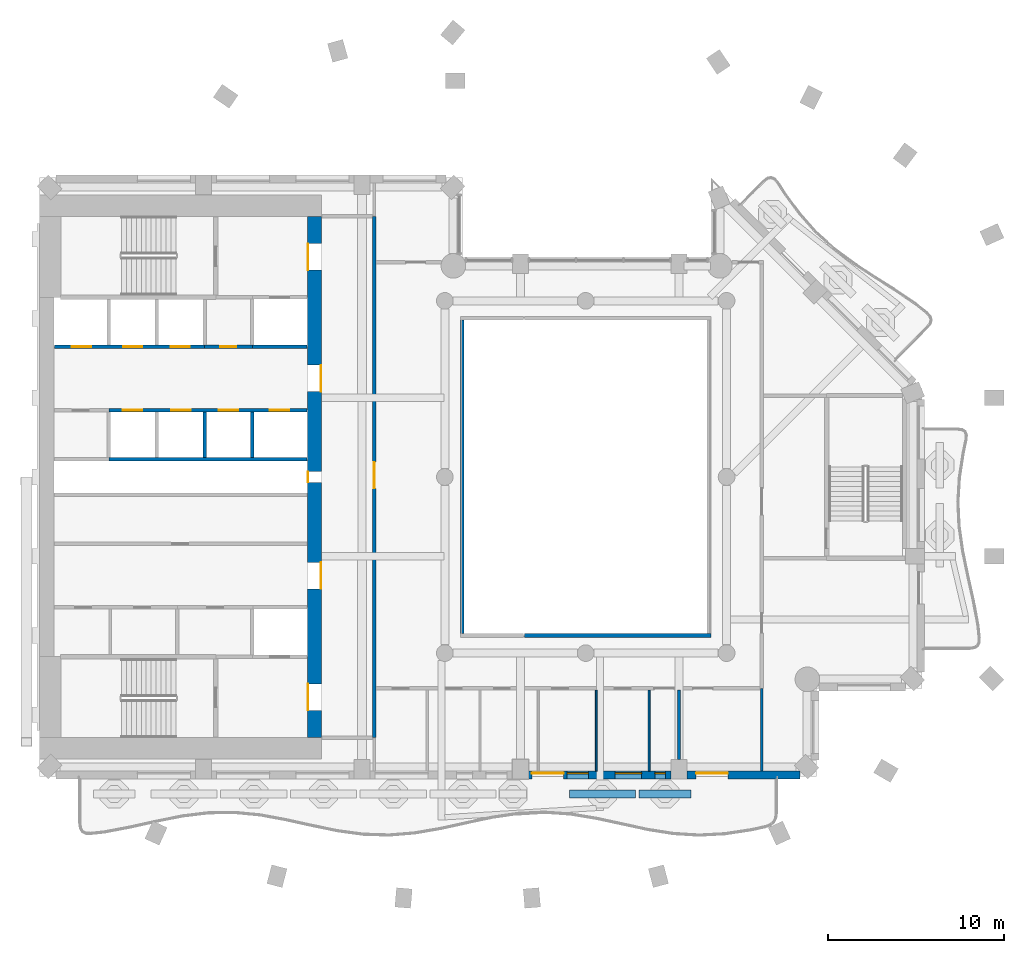
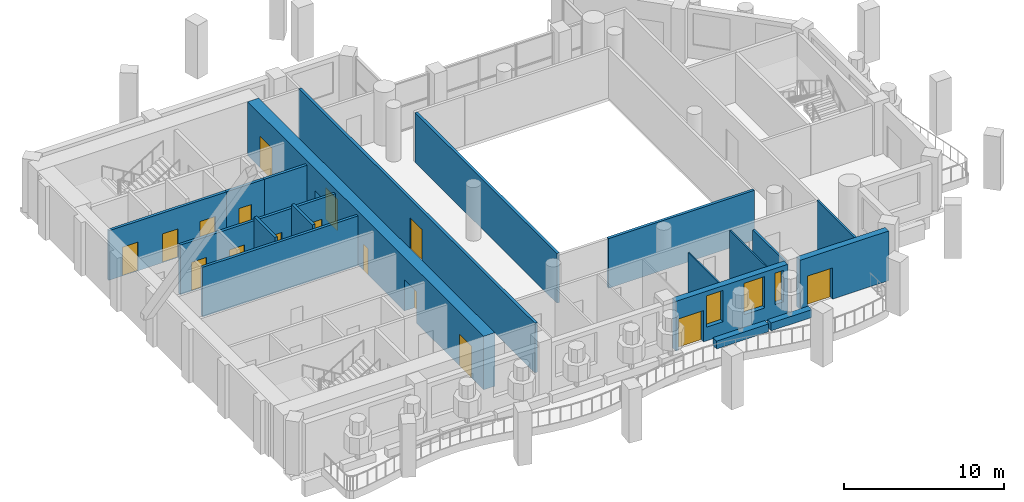
# One storey, part 5 of 16: 19 walls, 16 doors, 3 windows, 19 openings.
"""IFC4 building model written with IfcOpenShell, lengths in metres."""

from ifc_helpers import new_model, si_unit, direction, frame, frame_2d, origin, place, context, subcontext, project, spatial, rectangle, extrude, material, layer, layer_set, type_object, element, fill, save


model = new_model("IFC4")

# Units and contexts
model_context = context("Model", 3, precision=1e-05, world=origin(), true_north=direction((0.0, 1.0)))
body_context = subcontext(model_context, "Body", "Model", "MODEL_VIEW")
ifc_project = project(units=[si_unit("LENGTHUNIT", "METRE"), si_unit("AREAUNIT", "SQUARE_METRE"), si_unit("VOLUMEUNIT", "CUBIC_METRE"), si_unit("PLANEANGLEUNIT", "RADIAN"), si_unit("MASSUNIT", "GRAM", prefix="KILO")], contexts=[model_context])

# Site, building, storey
site_placement = place(None, origin())
site = spatial("IfcSite", under=ifc_project, at=site_placement, CompositionType="ELEMENT")
building_placement = place(site_placement, origin())
building = spatial("IfcBuilding", under=site, at=building_placement, Name="Cypress Arch Tower", CompositionType="ELEMENT")
storey_placement = place(building_placement, frame((0.0, 0.0, 172.800048828125)))
storey = spatial("IfcBuildingStorey", under=building, at=storey_placement, Name="L37", CompositionType="ELEMENT", Elevation=172.800048828125)

# Walls
ifc_material_1 = material(Name="Concrete C40/50, waterproofed", Category="concrete")
ifc_layer_1 = layer(ifc_material_1, 0.449951171875)
ifc_layer_set_1 = layer_set([ifc_layer_1], Name="Balcony planter wall PW450")
wall_type_1 = type_object("IfcWallType", Name="Balcony planter wall PW450", PredefinedType="SOLIDWALL", material=ifc_layer_set_1)
wall_1_placement = place(storey_placement, frame((0.070068359375, -18.0, 0.0), z_axis=(0.0, 0.0, 1.0), x_axis=(1.0, 0.0, 0.0)))
element("IfcWall", 1, at=wall_1_placement, inside=storey, type_object=wall_type_1, Name="Balcony planter wall L37-B01.8", PredefinedType="SOLIDWALL", context=body_context, shape_type="SweptSolid", body=[
    extrude(rectangle(XDim=3.760009765625, YDim=0.449951171875, at=frame_2d((1.8798828125, 0.0))), origin(), (0.0, 0.0, 1.0), 0.599853515625),
])
wall_2_placement = place(storey_placement, frame((4.030029296875, -18.0, 0.0), z_axis=(0.0, 0.0, 1.0), x_axis=(1.0, 0.0, 0.0)))
element("IfcWall", 2, at=wall_2_placement, inside=storey, type_object=wall_type_1, Name="Balcony planter wall L37-B01.9", PredefinedType="SOLIDWALL", context=body_context, shape_type="SweptSolid", body=[
    extrude(rectangle(XDim=2.945068359375, YDim=0.449951171875, at=frame_2d((1.47265625, 0.0))), origin(), (0.0, 0.0, 1.0), 0.599853515625),
])

# Wall, openings, door, windows
ifc_material_2 = material(Name="Brick (red buff blend)", Category="masonry")
ifc_layer_2 = layer(ifc_material_2, 0.449951171875)
ifc_layer_set_2 = layer_set([ifc_layer_2], Name="Brick pier and spandrel wall BW450")
wall_type_2 = type_object("IfcWallType", Name="Brick pier and spandrel wall BW450", PredefinedType="SOLIDWALL", material=ifc_layer_set_2)
wall_3_placement = place(storey_placement, frame((-2.25, -16.925048828125, 0.0), z_axis=(0.0, 0.0, 1.0), x_axis=(1.0, 0.0, 0.0)))
wall_3 = element("IfcWall", 3, at=wall_3_placement, inside=storey, type_object=wall_type_2, Name="Brick wall L37 B01.3", PredefinedType="SOLIDWALL", context=body_context, shape_type="SweptSolid", body=[
    extrude(rectangle(XDim=8.10009765625, YDim=0.449951171875, at=frame_2d((4.050048828125, 0.0))), origin(), (0.0, 0.0, 1.0), 3.800048828125),
])
opening_1_placement = place(wall_3_placement, frame((0.199951171875, 0.0, 0.0)))
opening_1 = element("IfcOpeningElement", 4, at=opening_1_placement, cuts=wall_3, Name="Opening D-L37-B01.3.1", PredefinedType="OPENING", context=body_context, shape_type="SweptSolid", body=[
    extrude(rectangle(XDim=1.800048828125, YDim=2.39990234375, at=frame_2d((0.89990234375, 1.199951171875))), frame((0.0, 0.23486328125, 0.0), z_axis=(0.0, -1.0, 0.0), x_axis=(1.0, 0.0, 0.0)), (0.0, 0.0, 1.0), 0.469970703125),
])
opening_2_placement = place(wall_3_placement, frame((2.199951171875, 0.0, 1.050048828125)))
opening_2 = element("IfcOpeningElement", 5, at=opening_2_placement, cuts=wall_3, Name="Opening W120OD", PredefinedType="OPENING", context=body_context, shape_type="SweptSolid", body=[
    extrude(rectangle(XDim=1.199951171875, YDim=2.39990234375, at=frame_2d((0.60009765625, 1.199951171875))), frame((0.0, 0.23486328125, 0.0), z_axis=(0.0, -1.0, 0.0), x_axis=(1.0, 0.0, 0.0)), (0.0, 0.0, 1.0), 0.469970703125),
])
opening_3_placement = place(wall_3_placement, frame((4.925537109375, 0.0, 1.050048828125)))
opening_3 = element("IfcOpeningElement", 6, at=opening_3_placement, cuts=wall_3, Name="Opening W150OD", PredefinedType="OPENING", context=body_context, shape_type="SweptSolid", body=[
    extrude(rectangle(XDim=1.5, YDim=2.39990234375, at=frame_2d((0.75, 1.199951171875))), frame((0.0, 0.23486328125, 0.0), z_axis=(0.0, -1.0, 0.0), x_axis=(1.0, 0.0, 0.0)), (0.0, 0.0, 1.0), 0.469970703125),
])
opening_4_placement = place(wall_3_placement, frame((7.175537109375, 0.0, 1.050048828125)))
opening_4 = element("IfcOpeningElement", 7, at=opening_4_placement, cuts=wall_3, Name="Opening W060OD", PredefinedType="OPENING", context=body_context, shape_type="SweptSolid", body=[
    extrude(rectangle(XDim=0.60009765625, YDim=2.39990234375, at=frame_2d((0.300048828125, 1.199951171875))), frame((0.0, 0.23486328125, 0.0), z_axis=(0.0, -1.0, 0.0), x_axis=(1.0, 0.0, 0.0)), (0.0, 0.0, 1.0), 0.469970703125),
])
ifc_material_3 = material(Name="Anodised aluminium, bronze finish, laminated low-emissivity double glazing, large-missile impact rated", Category="aluminium")
door_type_1 = type_object("IfcDoorType", Name="Balcony sliding door 1800x2400", OperationType="SLIDING_TO_LEFT", PredefinedType="DOOR", material=ifc_material_3)
door_1_placement = place(opening_1_placement, origin())
door_1 = element("IfcDoor", 8, at=door_1_placement, inside=storey, type_object=door_type_1, Name="Balcony door L37 B01.3.1", OperationType="SLIDING_TO_LEFT", OverallHeight=2.39990234375, OverallWidth=1.800048828125, PredefinedType="DOOR", context=body_context, shape_type="SweptSolid", body=[
    extrude(rectangle(XDim=1.800048828125, YDim=2.39990234375, at=frame_2d((0.89990234375, 1.199951171875))), frame((0.0, 0.1298828125, 0.0), z_axis=(0.0, -1.0, 0.0), x_axis=(1.0, 0.0, 0.0)), (0.0, 0.0, 1.0), 0.050048828125),
])
fill(opening_1, door_1)
ifc_material_4 = material(Name="Anodised aluminium, bronze finish, laminated low-emissivity double glazing, large-missile impact rated", Category="aluminium")
window_type_1 = type_object("IfcWindowType", Name="Window Office 1200x2400 debris-rated", PartitioningType="SINGLE_PANEL", PredefinedType="WINDOW", material=ifc_material_4)
window_1_placement = place(opening_2_placement, origin())
window_1 = element("IfcWindow", 9, at=window_1_placement, inside=storey, type_object=window_type_1, Name="Window L37 B01.3.1", OverallHeight=2.39990234375, OverallWidth=1.199951171875, PartitioningType="SINGLE_PANEL", PredefinedType="WINDOW", context=body_context, shape_type="SweptSolid", body=[
    extrude(rectangle(XDim=1.199951171875, YDim=2.39990234375, at=frame_2d((0.60009765625, 1.199951171875))), frame((0.0, 0.135009765625, 0.0), z_axis=(0.0, -1.0, 0.0), x_axis=(1.0, 0.0, 0.0)), (0.0, 0.0, 1.0), 0.06005859375),
])
fill(opening_2, window_1)
ifc_material_5 = material(Name="Anodised aluminium, bronze finish, laminated low-emissivity double glazing, large-missile impact rated", Category="aluminium")
window_type_2 = type_object("IfcWindowType", Name="Window Office 1500x2400 debris-rated", PartitioningType="SINGLE_PANEL", PredefinedType="WINDOW", material=ifc_material_5)
window_2_placement = place(opening_3_placement, origin())
window_2 = element("IfcWindow", 10, at=window_2_placement, inside=storey, type_object=window_type_2, Name="Window L37 B01.3.2", OverallHeight=2.39990234375, OverallWidth=1.5, PartitioningType="SINGLE_PANEL", PredefinedType="WINDOW", context=body_context, shape_type="SweptSolid", body=[
    extrude(rectangle(XDim=1.5, YDim=2.39990234375, at=frame_2d((0.75, 1.199951171875))), frame((0.0, 0.135009765625, 0.0), z_axis=(0.0, -1.0, 0.0), x_axis=(1.0, 0.0, 0.0)), (0.0, 0.0, 1.0), 0.06005859375),
])
fill(opening_3, window_2)
ifc_material_6 = material(Name="Anodised aluminium, bronze finish, laminated low-emissivity double glazing, large-missile impact rated", Category="aluminium")
window_type_3 = type_object("IfcWindowType", Name="Window Office 600x2400 debris-rated", PartitioningType="SINGLE_PANEL", PredefinedType="WINDOW", material=ifc_material_6)
window_3_placement = place(opening_4_placement, origin())
window_3 = element("IfcWindow", 11, at=window_3_placement, inside=storey, type_object=window_type_3, Name="Window L37 B01.3.2b", OverallHeight=2.39990234375, OverallWidth=0.60009765625, PartitioningType="SINGLE_PANEL", PredefinedType="WINDOW", context=body_context, shape_type="SweptSolid", body=[
    extrude(rectangle(XDim=0.60009765625, YDim=2.39990234375, at=frame_2d((0.300048828125, 1.199951171875))), frame((0.0, 0.135009765625, 0.0), z_axis=(0.0, -1.0, 0.0), x_axis=(1.0, 0.0, 0.0)), (0.0, 0.0, 1.0), 0.06005859375),
])
fill(opening_4, window_3)

# Wall, opening, door
wall_4_placement = place(storey_placement, frame((6.75, -16.925048828125, 0.0), z_axis=(0.0, 0.0, 1.0), x_axis=(1.0, 0.0, 0.0)))
wall_4 = element("IfcWall", 12, at=wall_4_placement, inside=storey, type_object=wall_type_2, Name="Brick wall L37 B01.4", PredefinedType="SOLIDWALL", context=body_context, shape_type="SweptSolid", body=[
    extrude(rectangle(XDim=6.41357421875, YDim=0.449951171875, at=frame_2d((3.206787109375, 0.0))), origin(), (0.0, 0.0, 1.0), 3.800048828125),
])
opening_5_placement = place(wall_4_placement, frame((0.52490234375, 0.0, 0.0)))
opening_5 = element("IfcOpeningElement", 13, at=opening_5_placement, cuts=wall_4, Name="Opening D-L37-B01.4.1", PredefinedType="OPENING", context=body_context, shape_type="SweptSolid", body=[
    extrude(rectangle(XDim=1.800048828125, YDim=2.39990234375, at=frame_2d((0.89990234375, 1.199951171875))), frame((0.0, 0.23486328125, 0.0), z_axis=(0.0, -1.0, 0.0), x_axis=(1.0, 0.0, 0.0)), (0.0, 0.0, 1.0), 0.469970703125),
])
door_2_placement = place(opening_5_placement, origin())
door_2 = element("IfcDoor", 14, at=door_2_placement, inside=storey, type_object=door_type_1, Name="Balcony door L37 B01.4.1", OperationType="SLIDING_TO_LEFT", OverallHeight=2.39990234375, OverallWidth=1.800048828125, PredefinedType="DOOR", context=body_context, shape_type="SweptSolid", body=[
    extrude(rectangle(XDim=1.800048828125, YDim=2.39990234375, at=frame_2d((0.89990234375, 1.199951171875))), frame((0.0, 0.1298828125, 0.0), z_axis=(0.0, -1.0, 0.0), x_axis=(1.0, 0.0, 0.0)), (0.0, 0.0, 1.0), 0.050048828125),
])
fill(opening_5, door_2)

# Wall, openings, doors
ifc_material_7 = material(Name="Concrete C70/85", Category="concrete")
ifc_layer_3 = layer(ifc_material_7, 0.800048828125)
ifc_layer_set_3 = layer_set([ifc_layer_3], Name="Core wall CW800 C70/85")
wall_type_3 = type_object("IfcWallType", Name="Core wall CW800 C70/85", PredefinedType="SHEAR", material=ifc_layer_set_3)
wall_5_placement = place(storey_placement, frame((-14.39990234375, -14.800048828125, 0.0), z_axis=(0.0, 0.0, 1.0), x_axis=(0.0, 1.0, 0.0)))
wall_5 = element("IfcWall", 15, at=wall_5_placement, inside=storey, type_object=wall_type_3, Name="Core wall", PredefinedType="SHEAR", context=body_context, shape_type="SweptSolid", body=[
    extrude(rectangle(XDim=29.60009765625, YDim=0.800048828125, at=frame_2d((14.800048828125, 0.0))), origin(), (0.0, 0.0, 1.0), 4.099853515625),
])
opening_6_placement = place(wall_5_placement, frame((1.550048828125, 0.0, 0.0)))
opening_6 = element("IfcOpeningElement", 16, at=opening_6_placement, cuts=wall_5, Name="Opening D07", PredefinedType="OPENING", context=body_context, shape_type="SweptSolid", body=[
    extrude(rectangle(XDim=1.5, YDim=2.39990234375, at=frame_2d((0.75, 1.199951171875))), frame((0.0, 0.409912109375, 0.0), z_axis=(0.0, -1.0, 0.0), x_axis=(1.0, 0.0, 0.0)), (0.0, 0.0, 1.0), 0.820068359375),
])
opening_7_placement = place(wall_5_placement, frame((26.550048828125, 0.0, 0.0)))
opening_7 = element("IfcOpeningElement", 17, at=opening_7_placement, cuts=wall_5, Name="Opening D07", PredefinedType="OPENING", context=body_context, shape_type="SweptSolid", body=[
    extrude(rectangle(XDim=1.5, YDim=2.39990234375, at=frame_2d((0.75, 1.199951171875))), frame((0.0, 0.409912109375, 0.0), z_axis=(0.0, -1.0, 0.0), x_axis=(1.0, 0.0, 0.0)), (0.0, 0.0, 1.0), 0.820068359375),
])
opening_8_placement = place(wall_5_placement, frame((8.449951171875, 0.0, 0.0)))
opening_8 = element("IfcOpeningElement", 18, at=opening_8_placement, cuts=wall_5, Name="Opening D07", PredefinedType="OPENING", context=body_context, shape_type="SweptSolid", body=[
    extrude(rectangle(XDim=1.5, YDim=2.39990234375, at=frame_2d((0.75, 1.199951171875))), frame((0.0, 0.409912109375, 0.0), z_axis=(0.0, -1.0, 0.0), x_axis=(1.0, 0.0, 0.0)), (0.0, 0.0, 1.0), 0.820068359375),
])
opening_9_placement = place(wall_5_placement, frame((19.64990234375, 0.0, 0.0)))
opening_9 = element("IfcOpeningElement", 19, at=opening_9_placement, cuts=wall_5, Name="Opening D07", PredefinedType="OPENING", context=body_context, shape_type="SweptSolid", body=[
    extrude(rectangle(XDim=1.5, YDim=2.39990234375, at=frame_2d((0.75, 1.199951171875))), frame((0.0, 0.409912109375, 0.0), z_axis=(0.0, -1.0, 0.0), x_axis=(1.0, 0.0, 0.0)), (0.0, 0.0, 1.0), 0.820068359375),
])
opening_10_placement = place(wall_5_placement, frame((14.5, 0.0, 0.0)))
opening_10 = element("IfcOpeningElement", 20, at=opening_10_placement, cuts=wall_5, Name="Opening D08", PredefinedType="OPENING", context=body_context, shape_type="SweptSolid", body=[
    extrude(rectangle(XDim=0.60009765625, YDim=2.0, at=frame_2d((0.300048828125, 1.0))), frame((0.0, 0.409912109375, 0.0), z_axis=(0.0, -1.0, 0.0), x_axis=(1.0, 0.0, 0.0)), (0.0, 0.0, 1.0), 0.820068359375),
])
ifc_material_8 = material(Name="Steel framed glazed door, fire resisting", Category="steel")
door_type_2 = type_object("IfcDoorType", Name="Lobby door D07 1500x2400", OperationType="DOUBLE_DOOR_SINGLE_SWING", PredefinedType="DOOR", material=ifc_material_8)
door_3_placement = place(opening_6_placement, origin())
door_3 = element("IfcDoor", 21, at=door_3_placement, inside=storey, type_object=door_type_2, Name="Lobby door", OperationType="DOUBLE_DOOR_SINGLE_SWING", OverallHeight=2.39990234375, OverallWidth=1.5, PredefinedType="DOOR", context=body_context, shape_type="SweptSolid", body=[
    extrude(rectangle(XDim=1.5, YDim=2.39990234375, at=frame_2d((0.75, 1.199951171875))), frame((0.0, 0.39501953125, 0.0), z_axis=(0.0, -1.0, 0.0), x_axis=(1.0, 0.0, 0.0)), (0.0, 0.0, 1.0), 0.050048828125),
])
fill(opening_6, door_3)
door_4_placement = place(opening_7_placement, origin())
door_4 = element("IfcDoor", 22, at=door_4_placement, inside=storey, type_object=door_type_2, Name="Lobby door", OperationType="DOUBLE_DOOR_SINGLE_SWING", OverallHeight=2.39990234375, OverallWidth=1.5, PredefinedType="DOOR", context=body_context, shape_type="SweptSolid", body=[
    extrude(rectangle(XDim=1.5, YDim=2.39990234375, at=frame_2d((0.75, 1.199951171875))), frame((0.0, 0.39501953125, 0.0), z_axis=(0.0, -1.0, 0.0), x_axis=(1.0, 0.0, 0.0)), (0.0, 0.0, 1.0), 0.050048828125),
])
fill(opening_7, door_4)
door_5_placement = place(opening_8_placement, origin())
door_5 = element("IfcDoor", 23, at=door_5_placement, inside=storey, type_object=door_type_2, Name="Lobby door", OperationType="DOUBLE_DOOR_SINGLE_SWING", OverallHeight=2.39990234375, OverallWidth=1.5, PredefinedType="DOOR", context=body_context, shape_type="SweptSolid", body=[
    extrude(rectangle(XDim=1.5, YDim=2.39990234375, at=frame_2d((0.75, 1.199951171875))), frame((0.0, -0.34521484375, 0.0), z_axis=(0.0, -1.0, 0.0), x_axis=(1.0, 0.0, 0.0)), (0.0, 0.0, 1.0), 0.050048828125),
])
fill(opening_8, door_5)
door_6_placement = place(opening_9_placement, origin())
door_6 = element("IfcDoor", 24, at=door_6_placement, inside=storey, type_object=door_type_2, Name="Lobby door", OperationType="DOUBLE_DOOR_SINGLE_SWING", OverallHeight=2.39990234375, OverallWidth=1.5, PredefinedType="DOOR", context=body_context, shape_type="SweptSolid", body=[
    extrude(rectangle(XDim=1.5, YDim=2.39990234375, at=frame_2d((0.75, 1.199951171875))), frame((0.0, -0.34521484375, 0.0), z_axis=(0.0, -1.0, 0.0), x_axis=(1.0, 0.0, 0.0)), (0.0, 0.0, 1.0), 0.050048828125),
])
fill(opening_9, door_6)
ifc_material_9 = material(Name="Steel access door, fire resisting", Category="steel")
door_type_3 = type_object("IfcDoorType", Name="Riser access door D08 600x2000", OperationType="SINGLE_SWING_LEFT", PredefinedType="DOOR", material=ifc_material_9)
door_7_placement = place(opening_10_placement, origin())
door_7 = element("IfcDoor", 25, at=door_7_placement, inside=storey, type_object=door_type_3, Name="Riser access door", OperationType="SINGLE_SWING_RIGHT", OverallHeight=2.0, OverallWidth=0.60009765625, PredefinedType="DOOR", context=body_context, shape_type="SweptSolid", body=[
    extrude(rectangle(XDim=0.60009765625, YDim=2.0, at=frame_2d((0.300048828125, 1.0))), frame((0.0, 0.39501953125, 0.0), z_axis=(0.0, -1.0, 0.0), x_axis=(1.0, 0.0, 0.0)), (0.0, 0.0, 1.0), 0.050048828125),
])
fill(opening_10, door_7)

# Wall, opening, door
ifc_material_10 = material(Name="Concrete blockwork, plastered, rated", Category="masonry")
ifc_layer_4 = layer(ifc_material_10, 0.199951171875)
ifc_layer_set_4 = layer_set([ifc_layer_4], Name="Corridor wall FW200")
wall_type_4 = type_object("IfcWallType", Name="Corridor wall FW200", PredefinedType="PARTITIONING", material=ifc_layer_set_4)
wall_6_placement = place(storey_placement, frame((-11.0, -14.800048828125, 0.0), z_axis=(0.0, 0.0, 1.0), x_axis=(0.0, 1.0, 0.0)))
wall_6 = element("IfcWall", 26, at=wall_6_placement, inside=storey, type_object=wall_type_4, Name="Corridor wall", PredefinedType="PARTITIONING", context=body_context, shape_type="SweptSolid", body=[
    extrude(rectangle(XDim=29.60009765625, YDim=0.199951171875, at=frame_2d((14.800048828125, 0.0))), origin(), (0.0, 0.0, 1.0), 3.800048828125),
])
opening_11_placement = place(wall_6_placement, frame((14.14990234375, 0.0, 0.0)))
opening_11 = element("IfcOpeningElement", 27, at=opening_11_placement, cuts=wall_6, Name="Opening D07", PredefinedType="OPENING", context=body_context, shape_type="SweptSolid", body=[
    extrude(rectangle(XDim=1.5, YDim=2.39990234375, at=frame_2d((0.75, 1.199951171875))), frame((0.0, 0.10986328125, 0.0), z_axis=(0.0, -1.0, 0.0), x_axis=(1.0, 0.0, 0.0)), (0.0, 0.0, 1.0), 0.219970703125),
])
door_8_placement = place(opening_11_placement, origin())
door_8 = element("IfcDoor", 28, at=door_8_placement, inside=storey, type_object=door_type_2, Name="Lobby door", OperationType="DOUBLE_DOOR_SINGLE_SWING", OverallHeight=2.39990234375, OverallWidth=1.5, PredefinedType="DOOR", context=body_context, shape_type="SweptSolid", body=[
    extrude(rectangle(XDim=1.5, YDim=2.39990234375, at=frame_2d((0.75, 1.199951171875))), frame((0.0, 0.02490234375, 0.0), z_axis=(0.0, -1.0, 0.0), x_axis=(1.0, 0.0, 0.0)), (0.0, 0.0, 1.0), 0.050048828125),
])
fill(opening_11, door_8)

# Walls
wall_7_placement = place(storey_placement, frame((-6.0, -8.89990234375, 0.0), z_axis=(0.0, 0.0, 1.0), x_axis=(0.0, 1.0, 0.0)))
element("IfcWall", 29, at=wall_7_placement, inside=storey, type_object=wall_type_4, Name="Corridor wall", PredefinedType="PARTITIONING", context=body_context, shape_type="SweptSolid", body=[
    extrude(rectangle(XDim=17.7998046875, YDim=0.199951171875, at=frame_2d((8.89990234375, 0.0))), origin(), (0.0, 0.0, 1.0), 3.800048828125),
])
wall_8_placement = place(storey_placement, frame((-2.47998046875, -9.0, 0.0), z_axis=(0.0, 0.0, 1.0), x_axis=(1.0, 0.0, 0.0)))
element("IfcWall", 30, at=wall_8_placement, inside=storey, type_object=wall_type_4, Name="Corridor wall", PredefinedType="PARTITIONING", context=body_context, shape_type="SweptSolid", body=[
    extrude(rectangle(XDim=10.580078125, YDim=0.199951171875, at=frame_2d((5.2900390625, 0.0))), origin(), (0.0, 0.0, 1.0), 3.800048828125),
])
ifc_material_11 = material(Name="Blockwork, plastered both sides", Category="masonry")
ifc_layer_5 = layer(ifc_material_11, 0.14990234375)
ifc_layer_set_5 = layer_set([ifc_layer_5], Name="Partition PW150")
wall_type_5 = type_object("IfcWallType", Name="Partition PW150", PredefinedType="PARTITIONING", material=ifc_layer_set_5)
wall_9_placement = place(storey_placement, frame((6.300048828125, -16.050048828125, 0.0), z_axis=(0.0, 0.0, 1.0), x_axis=(0.0, 1.0, 0.0)))
element("IfcWall", 31, at=wall_9_placement, inside=storey, type_object=wall_type_5, Name="Partition", PredefinedType="PARTITIONING", context=body_context, shape_type="SweptSolid", body=[
    extrude(rectangle(XDim=3.949951171875, YDim=0.14990234375, at=frame_2d((1.97509765625, 0.0))), origin(), (0.0, 0.0, 1.0), 3.25),
])
wall_10_placement = place(storey_placement, frame((11.0, -16.699951171875, 0.0), z_axis=(0.0, 0.0, 1.0), x_axis=(0.0, 1.0, 0.0)))
element("IfcWall", 32, at=wall_10_placement, inside=storey, type_object=wall_type_5, Name="Partition", PredefinedType="PARTITIONING", context=body_context, shape_type="SweptSolid", body=[
    extrude(rectangle(XDim=4.699951171875, YDim=0.14990234375, at=frame_2d((2.35009765625, 0.0))), origin(), (0.0, 0.0, 1.0), 3.800048828125),
])

# Wall, opening, door
ifc_material_12 = material(Name="Reinforced blockwork, plastered, rated", Category="masonry")
ifc_layer_6 = layer(ifc_material_12, 0.199951171875)
ifc_layer_set_6 = layer_set([ifc_layer_6], Name="Plant and riser wall PL200")
wall_type_6 = type_object("IfcWallType", Name="Plant and riser wall PL200", PredefinedType="PARTITIONING", material=ifc_layer_set_6)
wall_11_placement = place(storey_placement, frame((-20.639892578125, 7.39990234375, 0.0), z_axis=(0.0, 0.0, 1.0), x_axis=(1.0, 0.0, 0.0)))
wall_11 = element("IfcWall", 33, at=wall_11_placement, inside=storey, type_object=wall_type_6, Name="Plant and riser wall", PredefinedType="PARTITIONING", context=body_context, shape_type="SweptSolid", body=[
    extrude(rectangle(XDim=2.719970703125, YDim=0.199951171875, at=frame_2d((1.35986328125, 0.0))), origin(), (0.0, 0.0, 1.0), 3.800048828125),
])
opening_12_placement = place(wall_11_placement, frame((0.89990234375, 0.0, 0.0)))
opening_12 = element("IfcOpeningElement", 34, at=opening_12_placement, cuts=wall_11, Name="Opening D05", PredefinedType="OPENING", context=body_context, shape_type="SweptSolid", body=[
    extrude(rectangle(XDim=0.89990234375, YDim=2.199951171875, at=frame_2d((0.449951171875, 1.10009765625))), frame((0.0, 0.10986328125, 0.0), z_axis=(0.0, -1.0, 0.0), x_axis=(1.0, 0.0, 0.0)), (0.0, 0.0, 1.0), 0.219970703125),
])
ifc_material_13 = material(Name="Timber flush door", Category="wood")
door_type_4 = type_object("IfcDoorType", Name="Service door D05 900x2200", OperationType="SINGLE_SWING_LEFT", PredefinedType="DOOR", material=ifc_material_13)
door_9_placement = place(opening_12_placement, origin())
door_9 = element("IfcDoor", 35, at=door_9_placement, inside=storey, type_object=door_type_4, Name="Service door", OperationType="SINGLE_SWING_LEFT", OverallHeight=2.199951171875, OverallWidth=0.89990234375, PredefinedType="DOOR", context=body_context, shape_type="SweptSolid", body=[
    extrude(rectangle(XDim=0.89990234375, YDim=2.199951171875, at=frame_2d((0.449951171875, 1.10009765625))), frame((0.0, 0.02490234375, 0.0), z_axis=(0.0, -1.0, 0.0), x_axis=(1.0, 0.0, 0.0)), (0.0, 0.0, 1.0), 0.050048828125),
])
fill(opening_12, door_9)

# Wall, openings, doors
ifc_material_14 = material(Name="Concrete C50/60", Category="concrete")
ifc_layer_7 = layer(ifc_material_14, 0.199951171875)
ifc_layer_set_7 = layer_set([ifc_layer_7], Name="Shaft wall SH200")
wall_type_7 = type_object("IfcWallType", Name="Shaft wall SH200", PredefinedType="SHEAR", material=ifc_layer_set_7)
wall_12_placement = place(storey_placement, frame((-29.169921875, 7.39990234375, 0.0), z_axis=(0.0, 0.0, 1.0), x_axis=(1.0, 0.0, 0.0)))
wall_12 = element("IfcWall", 36, at=wall_12_placement, inside=storey, type_object=wall_type_7, Name="Shaft wall", PredefinedType="SHEAR", context=body_context, shape_type="SweptSolid", body=[
    extrude(rectangle(XDim=8.530029296875, YDim=0.199951171875, at=frame_2d((4.26513671875, 0.0))), origin(), (0.0, 0.0, 1.0), 3.800048828125),
])
opening_13_placement = place(wall_12_placement, frame((1.0, 0.0, 0.0)))
opening_13 = element("IfcOpeningElement", 37, at=opening_13_placement, cuts=wall_12, Name="Opening LD-HR5", PredefinedType="OPENING", context=body_context, shape_type="SweptSolid", body=[
    extrude(rectangle(XDim=1.10009765625, YDim=2.199951171875, at=frame_2d((0.550048828125, 1.10009765625))), frame((0.0, 0.10986328125, 0.0), z_axis=(0.0, -1.0, 0.0), x_axis=(1.0, 0.0, 0.0)), (0.0, 0.0, 1.0), 0.219970703125),
])
opening_14_placement = place(wall_12_placement, frame((3.89990234375, 0.0, 0.0)))
opening_14 = element("IfcOpeningElement", 38, at=opening_14_placement, cuts=wall_12, Name="Opening LD-HR6", PredefinedType="OPENING", context=body_context, shape_type="SweptSolid", body=[
    extrude(rectangle(XDim=1.10009765625, YDim=2.199951171875, at=frame_2d((0.550048828125, 1.10009765625))), frame((0.0, 0.10986328125, 0.0), z_axis=(0.0, -1.0, 0.0), x_axis=(1.0, 0.0, 0.0)), (0.0, 0.0, 1.0), 0.219970703125),
])
opening_15_placement = place(wall_12_placement, frame((6.60009765625, 0.0, 0.0)))
opening_15 = element("IfcOpeningElement", 39, at=opening_15_placement, cuts=wall_12, Name="Opening LD-HR7", PredefinedType="OPENING", context=body_context, shape_type="SweptSolid", body=[
    extrude(rectangle(XDim=1.10009765625, YDim=2.199951171875, at=frame_2d((0.550048828125, 1.10009765625))), frame((0.0, 0.10986328125, 0.0), z_axis=(0.0, -1.0, 0.0), x_axis=(1.0, 0.0, 0.0)), (0.0, 0.0, 1.0), 0.219970703125),
])
ifc_material_15 = material(Name="Stainless steel centre-opening landing door, rated", Category="steel")
door_type_5 = type_object("IfcDoorType", Name="Lift landing door LD 1100x2200", OperationType="DOUBLE_DOOR_SLIDING", PredefinedType="DOOR", material=ifc_material_15)
door_10_placement = place(opening_13_placement, origin())
door_10 = element("IfcDoor", 40, at=door_10_placement, inside=storey, type_object=door_type_5, Name="Lift landing doors HR5", OperationType="DOUBLE_DOOR_SLIDING", OverallHeight=2.199951171875, OverallWidth=1.10009765625, PredefinedType="DOOR", context=body_context, shape_type="SweptSolid", body=[
    extrude(rectangle(XDim=1.10009765625, YDim=2.199951171875, at=frame_2d((0.550048828125, 1.10009765625))), frame((0.0, 0.02490234375, 0.0), z_axis=(0.0, -1.0, 0.0), x_axis=(1.0, 0.0, 0.0)), (0.0, 0.0, 1.0), 0.050048828125),
])
fill(opening_13, door_10)
door_11_placement = place(opening_14_placement, origin())
door_11 = element("IfcDoor", 41, at=door_11_placement, inside=storey, type_object=door_type_5, Name="Lift landing doors HR6", OperationType="DOUBLE_DOOR_SLIDING", OverallHeight=2.199951171875, OverallWidth=1.10009765625, PredefinedType="DOOR", context=body_context, shape_type="SweptSolid", body=[
    extrude(rectangle(XDim=1.10009765625, YDim=2.199951171875, at=frame_2d((0.550048828125, 1.10009765625))), frame((0.0, 0.02490234375, 0.0), z_axis=(0.0, -1.0, 0.0), x_axis=(1.0, 0.0, 0.0)), (0.0, 0.0, 1.0), 0.050048828125),
])
fill(opening_14, door_11)
door_12_placement = place(opening_15_placement, origin())
door_12 = element("IfcDoor", 42, at=door_12_placement, inside=storey, type_object=door_type_5, Name="Lift landing doors HR7", OperationType="DOUBLE_DOOR_SLIDING", OverallHeight=2.199951171875, OverallWidth=1.10009765625, PredefinedType="DOOR", context=body_context, shape_type="SweptSolid", body=[
    extrude(rectangle(XDim=1.10009765625, YDim=2.199951171875, at=frame_2d((0.550048828125, 1.10009765625))), frame((0.0, 0.02490234375, 0.0), z_axis=(0.0, -1.0, 0.0), x_axis=(1.0, 0.0, 0.0)), (0.0, 0.0, 1.0), 0.050048828125),
])
fill(opening_15, door_12)

# Wall
wall_13_placement = place(storey_placement, frame((-26.080078125, 1.0, 0.0), z_axis=(0.0, 0.0, 1.0), x_axis=(1.0, 0.0, 0.0)))
element("IfcWall", 43, at=wall_13_placement, inside=storey, type_object=wall_type_7, Name="Shaft wall", PredefinedType="SHEAR", context=body_context, shape_type="SweptSolid", body=[
    extrude(rectangle(XDim=11.25, YDim=0.199951171875, at=frame_2d((5.625, 0.0))), origin(), (0.0, 0.0, 1.0), 3.800048828125),
])

# Wall, openings, doors
wall_14_placement = place(storey_placement, frame((-26.080078125, 3.800048828125, 0.0), z_axis=(0.0, 0.0, 1.0), x_axis=(1.0, 0.0, 0.0)))
wall_14 = element("IfcWall", 44, at=wall_14_placement, inside=storey, type_object=wall_type_7, Name="Shaft wall", PredefinedType="SHEAR", context=body_context, shape_type="SweptSolid", body=[
    extrude(rectangle(XDim=11.25, YDim=0.199951171875, at=frame_2d((5.625, 0.0))), origin(), (0.0, 0.0, 1.0), 3.800048828125),
])
opening_16_placement = place(wall_14_placement, frame((0.800048828125, 0.0, 0.0)))
opening_16 = element("IfcOpeningElement", 45, at=opening_16_placement, cuts=wall_14, Name="Opening LD-HR1", PredefinedType="OPENING", context=body_context, shape_type="SweptSolid", body=[
    extrude(rectangle(XDim=1.10009765625, YDim=2.199951171875, at=frame_2d((0.550048828125, 1.10009765625))), frame((0.0, 0.10986328125, 0.0), z_axis=(0.0, -1.0, 0.0), x_axis=(1.0, 0.0, 0.0)), (0.0, 0.0, 1.0), 0.219970703125),
])
opening_17_placement = place(wall_14_placement, frame((3.550048828125, 0.0, 0.0)))
opening_17 = element("IfcOpeningElement", 46, at=opening_17_placement, cuts=wall_14, Name="Opening LD-HR2", PredefinedType="OPENING", context=body_context, shape_type="SweptSolid", body=[
    extrude(rectangle(XDim=1.10009765625, YDim=2.199951171875, at=frame_2d((0.550048828125, 1.10009765625))), frame((0.0, 0.10986328125, 0.0), z_axis=(0.0, -1.0, 0.0), x_axis=(1.0, 0.0, 0.0)), (0.0, 0.0, 1.0), 0.219970703125),
])
opening_18_placement = place(wall_14_placement, frame((6.25, 0.0, 0.0)))
opening_18 = element("IfcOpeningElement", 47, at=opening_18_placement, cuts=wall_14, Name="Opening LD-HR3", PredefinedType="OPENING", context=body_context, shape_type="SweptSolid", body=[
    extrude(rectangle(XDim=1.10009765625, YDim=2.199951171875, at=frame_2d((0.550048828125, 1.10009765625))), frame((0.0, 0.10986328125, 0.0), z_axis=(0.0, -1.0, 0.0), x_axis=(1.0, 0.0, 0.0)), (0.0, 0.0, 1.0), 0.219970703125),
])
opening_19_placement = place(wall_14_placement, frame((9.14990234375, 0.0, 0.0)))
opening_19 = element("IfcOpeningElement", 48, at=opening_19_placement, cuts=wall_14, Name="Opening LD-HR4", PredefinedType="OPENING", context=body_context, shape_type="SweptSolid", body=[
    extrude(rectangle(XDim=1.10009765625, YDim=2.199951171875, at=frame_2d((0.550048828125, 1.10009765625))), frame((0.0, 0.10986328125, 0.0), z_axis=(0.0, -1.0, 0.0), x_axis=(1.0, 0.0, 0.0)), (0.0, 0.0, 1.0), 0.219970703125),
])
door_13_placement = place(opening_16_placement, origin())
door_13 = element("IfcDoor", 49, at=door_13_placement, inside=storey, type_object=door_type_5, Name="Lift landing doors HR1", OperationType="DOUBLE_DOOR_SLIDING", OverallHeight=2.199951171875, OverallWidth=1.10009765625, PredefinedType="DOOR", context=body_context, shape_type="SweptSolid", body=[
    extrude(rectangle(XDim=1.10009765625, YDim=2.199951171875, at=frame_2d((0.550048828125, 1.10009765625))), frame((0.0, 0.02490234375, 0.0), z_axis=(0.0, -1.0, 0.0), x_axis=(1.0, 0.0, 0.0)), (0.0, 0.0, 1.0), 0.050048828125),
])
fill(opening_16, door_13)
door_14_placement = place(opening_17_placement, origin())
door_14 = element("IfcDoor", 50, at=door_14_placement, inside=storey, type_object=door_type_5, Name="Lift landing doors HR2", OperationType="DOUBLE_DOOR_SLIDING", OverallHeight=2.199951171875, OverallWidth=1.10009765625, PredefinedType="DOOR", context=body_context, shape_type="SweptSolid", body=[
    extrude(rectangle(XDim=1.10009765625, YDim=2.199951171875, at=frame_2d((0.550048828125, 1.10009765625))), frame((0.0, 0.02490234375, 0.0), z_axis=(0.0, -1.0, 0.0), x_axis=(1.0, 0.0, 0.0)), (0.0, 0.0, 1.0), 0.050048828125),
])
fill(opening_17, door_14)
door_15_placement = place(opening_18_placement, origin())
door_15 = element("IfcDoor", 51, at=door_15_placement, inside=storey, type_object=door_type_5, Name="Lift landing doors HR3", OperationType="DOUBLE_DOOR_SLIDING", OverallHeight=2.199951171875, OverallWidth=1.10009765625, PredefinedType="DOOR", context=body_context, shape_type="SweptSolid", body=[
    extrude(rectangle(XDim=1.10009765625, YDim=2.199951171875, at=frame_2d((0.550048828125, 1.10009765625))), frame((0.0, 0.02490234375, 0.0), z_axis=(0.0, -1.0, 0.0), x_axis=(1.0, 0.0, 0.0)), (0.0, 0.0, 1.0), 0.050048828125),
])
fill(opening_18, door_15)
door_16_placement = place(opening_19_placement, origin())
door_16 = element("IfcDoor", 52, at=door_16_placement, inside=storey, type_object=door_type_5, Name="Lift landing doors HR4", OperationType="DOUBLE_DOOR_SLIDING", OverallHeight=2.199951171875, OverallWidth=1.10009765625, PredefinedType="DOOR", context=body_context, shape_type="SweptSolid", body=[
    extrude(rectangle(XDim=1.10009765625, YDim=2.199951171875, at=frame_2d((0.550048828125, 1.10009765625))), frame((0.0, 0.02490234375, 0.0), z_axis=(0.0, -1.0, 0.0), x_axis=(1.0, 0.0, 0.0)), (0.0, 0.0, 1.0), 0.050048828125),
])
fill(opening_19, door_16)

# Walls
for number, where, z_axis, x_axis, name in (
    (53, (-20.639892578125, 1.10009765625, 0.0), (0.0, 0.0, 1.0), (0.0, 1.0, 0.0), "Shaft wall"),
    (54, (-17.919921875, 1.10009765625, 0.0), (0.0, 0.0, 1.0), (0.0, 1.0, 0.0), "Shaft wall"),
):
    element("IfcWall", number, at=place(storey_placement, frame(where, z_axis=z_axis, x_axis=x_axis)), inside=storey, type_object=wall_type_7, Name=name, PredefinedType="SHEAR", context=body_context, shape_type="SweptSolid", body=[
        extrude(rectangle(XDim=2.599853515625, YDim=0.199951171875, at=frame_2d((1.2998046875, 0.0))), origin(), (0.0, 0.0, 1.0), 4.099853515625),
    ])
wall_15_placement = place(storey_placement, frame((-17.919921875, 7.39990234375, 0.0), z_axis=(0.0, 0.0, 1.0), x_axis=(1.0, 0.0, 0.0)))
element("IfcWall", 55, at=wall_15_placement, inside=storey, type_object=wall_type_7, Name="Shaft wall", PredefinedType="SHEAR", context=body_context, shape_type="SweptSolid", body=[
    extrude(rectangle(XDim=3.08984375, YDim=0.199951171875, at=frame_2d((1.544921875, 0.0))), origin(), (0.0, 0.0, 1.0), 3.800048828125),
])
ifc_material_16 = material(Name="Moisture resistant board on steel studs, tiled", Category="steel")
ifc_layer_8 = layer(ifc_material_16, 0.10009765625)
ifc_layer_set_8 = layer_set([ifc_layer_8], Name="Wet wall PW100")
wall_type_8 = type_object("IfcWallType", Name="Wet wall PW100", PredefinedType="PARTITIONING", material=ifc_layer_set_8)
wall_16_placement = place(storey_placement, frame((1.60107421875, -16.699951171875, 0.0), z_axis=(0.0, 0.0, 1.0), x_axis=(0.0, 1.0, 0.0)))
element("IfcWall", 56, at=wall_16_placement, inside=storey, type_object=wall_type_8, Name="Wet wall", PredefinedType="PARTITIONING", context=body_context, shape_type="SweptSolid", body=[
    extrude(rectangle(XDim=4.599853515625, YDim=0.10009765625, at=frame_2d((2.2998046875, 0.0))), origin(), (0.0, 0.0, 1.0), 3.14990234375),
])
wall_17_placement = place(storey_placement, frame((4.60107421875, -16.699951171875, 0.0), z_axis=(0.0, 0.0, 1.0), x_axis=(0.0, 1.0, 0.0)))
element("IfcWall", 57, at=wall_17_placement, inside=storey, type_object=wall_type_8, Name="Wet wall", PredefinedType="PARTITIONING", context=body_context, shape_type="SweptSolid", body=[
    extrude(rectangle(XDim=4.599853515625, YDim=0.10009765625, at=frame_2d((2.2998046875, 0.0))), origin(), (0.0, 0.0, 1.0), 3.800048828125),
])

save(model, "model.ifc")
